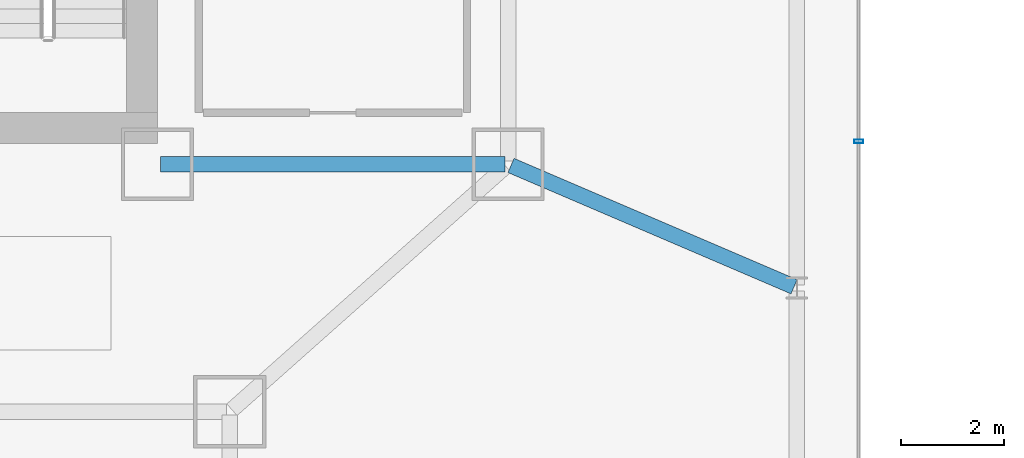
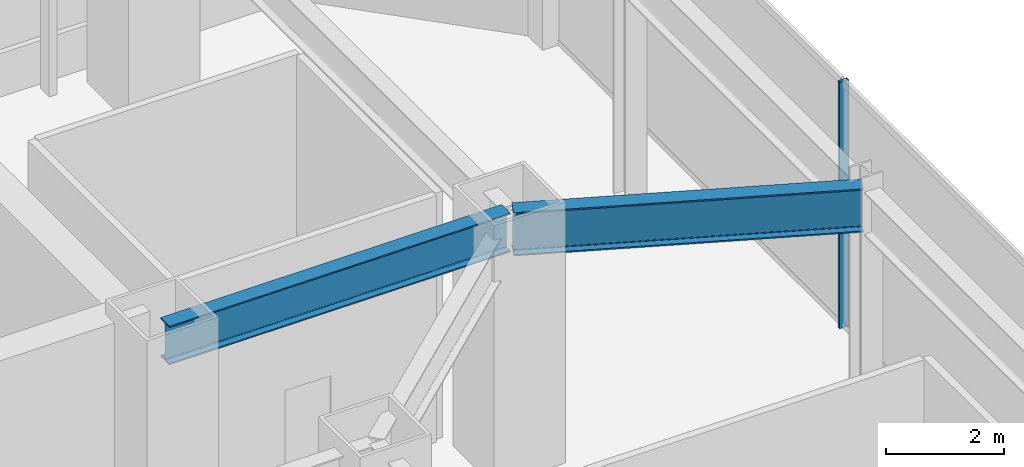
# One storey, part 29 of 52: 2 beams, 1 member, 1 element without a shape of its own.
"""IFC4 building model written with IfcOpenShell, lengths in metres."""

import ifcopenshell
import ifcopenshell.guid

model = None  # the IFC model being written
_history = None  # IfcOwnerHistory: only IFC2X3 demands one
_inside = {}  # id of a spatial element -> (the spatial element, [elements in it])
_under = {}  # id of a project, library or spatial element -> (it, [spatial elements below it])
_declared = {}  # id of a project -> (the project, [libraries it declares])
_typed = {}  # id of a type object -> (the type object, [elements of that type])
_made_of = {}  # id of a material, layer set ... -> (it, [elements and type objects made of it])


def new_model(schema):
    """Start an empty IFC model of exactly this schema.

    Asked for "IFC4X3", IfcOpenShell would pick the latest addendum, in which some entities
    have other attributes; the version numbers below select the first issue.
    IFC2X3 requires an IfcOwnerHistory on every rooted entity: one is made here for all.
    """
    global model, _history
    if schema == "IFC4X3":
        model = ifcopenshell.file(schema_version=(4, 3, 0, 0))
    else:
        model = ifcopenshell.file(schema=schema)
    _inside.clear()
    _under.clear()
    _declared.clear()
    _typed.clear()
    _made_of.clear()
    _history = None
    if model.schema == "IFC2X3":
        org = make("IfcOrganization", Name="unknown")
        user = make(
            "IfcPersonAndOrganization",
            ThePerson=make("IfcPerson", FamilyName="unknown"),
            TheOrganization=org,
        )
        app = make(
            "IfcApplication",
            ApplicationDeveloper=org,
            Version="unknown",
            ApplicationFullName="unknown",
            ApplicationIdentifier="unknown",
        )
        _history = make(
            "IfcOwnerHistory",
            OwningUser=user,
            OwningApplication=app,
            ChangeAction="ADDED",
            CreationDate=0,
        )
    return model


def make(cls, **values):
    """One entity of the class cls with the attributes given. An attribute that is None is left unset."""
    return model.create_entity(
        cls, **{name: value for name, value in values.items() if value is not None}
    )


def rooted(cls, **values):
    """An entity with a GlobalId (a new one), such as an element, a storey or a relation."""
    return make(cls, GlobalId=ifcopenshell.guid.new(), OwnerHistory=_history, **values)


def si_unit(unit_type, name, prefix=None):
    """IfcSIUnit, for example si_unit("LENGTHUNIT", "METRE", prefix="MILLI")."""
    return make("IfcSIUnit", UnitType=unit_type, Prefix=prefix, Name=name)


def assignment(units):
    """IfcUnitAssignment: the units of a project."""
    return None if units is None else make("IfcUnitAssignment", Units=units)


def point(xyz):
    """IfcCartesianPoint."""
    return None if xyz is None else make("IfcCartesianPoint", Coordinates=xyz)


def direction(xyz):
    """IfcDirection."""
    return None if xyz is None else make("IfcDirection", DirectionRatios=xyz)


def frame(location, z_axis=None, x_axis=None):
    """IfcAxis2Placement3D, a coordinate frame: its origin and axes. An axis left out is left unset."""
    return make(
        "IfcAxis2Placement3D",
        Location=point(location),
        Axis=direction(z_axis),
        RefDirection=direction(x_axis),
    )


def frame_2d(location, x_axis=None):
    """IfcAxis2Placement2D, a coordinate frame in the plane: its origin and x axis."""
    return make(
        "IfcAxis2Placement2D", Location=point(location), RefDirection=direction(x_axis)
    )


def origin():
    """The frame at (0, 0, 0) with its axes left unset."""
    return frame((0.0, 0.0, 0.0))


def origin_2d():
    """The frame at (0, 0) in the plane with its x axis left unset."""
    return frame_2d((0.0, 0.0))


def place(relative_to, where):
    """IfcLocalPlacement: puts the frame where relative to a parent placement (None: the world)."""
    return make(
        "IfcLocalPlacement", PlacementRelTo=relative_to, RelativePlacement=where
    )


def context(
    kind, dimensions, precision=None, world=None, true_north=None, identifier=None
):
    """IfcGeometricRepresentationContext, for example the 3D "Model" context."""
    return make(
        "IfcGeometricRepresentationContext",
        ContextIdentifier=identifier,
        ContextType=kind,
        CoordinateSpaceDimension=dimensions,
        Precision=precision,
        WorldCoordinateSystem=world,
        TrueNorth=true_north,
    )


def subcontext(parent, identifier, kind, view, scale=None):
    """IfcGeometricRepresentationSubContext, for example "Body" below "Model"."""
    return make(
        "IfcGeometricRepresentationSubContext",
        ContextIdentifier=identifier,
        ContextType=kind,
        ParentContext=parent,
        TargetScale=scale,
        TargetView=view,
    )


def project(units=None, contexts=None):
    """IfcProject with its units and contexts."""
    return rooted(
        "IfcProject",
        Name="project",
        RepresentationContexts=contexts,
        UnitsInContext=assignment(units),
    )


def spatial(cls, under=None, at=None, **own):
    """A site, building, storey or space (cls), placed at a placement, below another one or the project."""
    s = rooted(cls, ObjectPlacement=at, **own)
    if under is not None:
        _under.setdefault(under.id(), (under, []))[1].append(s)
    return s


def profile(cls, at=None, kind="AREA", **sizes):
    """A parametric profile (cls). Its sizes go by their IFC names, for example OverallWidth=200.0."""
    return make(cls, ProfileType=kind, Position=at, **sizes)


def hollow_rectangle(**sizes):
    """IfcRectangleHollowProfileDef."""
    return profile("IfcRectangleHollowProfileDef", **sizes)


def i_section(**sizes):
    """IfcIShapeProfileDef."""
    return profile("IfcIShapeProfileDef", **sizes)


def extrude(swept, where, along, depth):
    """IfcExtrudedAreaSolid: the profile swept, set in the frame where, extruded along a direction by depth."""
    return make(
        "IfcExtrudedAreaSolid",
        SweptArea=swept,
        Position=where,
        ExtrudedDirection=direction(along),
        Depth=depth,
    )


def shape(context_of_items, identifier, shape_type, items):
    """IfcShapeRepresentation: the items that make up one representation, for example the "Body"."""
    return make(
        "IfcShapeRepresentation",
        ContextOfItems=context_of_items,
        RepresentationIdentifier=identifier,
        RepresentationType=shape_type,
        Items=items,
    )


def material(Name=None, Category=None):
    """IfcMaterial."""
    return make("IfcMaterial", Name=Name, Category=Category)


def material_profile(
    of_material, cross_section, Name=None, Category=None, Priority=None
):
    """IfcMaterialProfile: a cross section and its material."""
    return make(
        "IfcMaterialProfile",
        Name=Name,
        Material=of_material,
        Profile=cross_section,
        Priority=Priority,
        Category=Category,
    )


def profile_set(profiles, Name=None, composite=None):
    """IfcMaterialProfileSet."""
    return make(
        "IfcMaterialProfileSet",
        Name=Name,
        MaterialProfiles=profiles,
        CompositeProfile=composite,
    )


def made_of(thing, what):
    """Note that an element or type object is made of a material, layer set ...; save() writes the relation."""
    if what is not None:
        _made_of.setdefault(what.id(), (what, []))[1].append(thing)
    return thing


def type_object(cls, material=None, **own):
    """A type object (cls), such as IfcWallType, which elements share."""
    return made_of(rooted(cls, **own), material)


def element(
    cls,
    number,
    at=None,
    inside=None,
    cuts=None,
    type_object=None,
    material=None,
    context=None,
    identifier="Body",
    shape_type=None,
    held_by="IfcProductDefinitionShape",
    body=None,
    shapes=None,
    **own,
):
    """One element of the class cls, such as IfcWall. Its Tag is "e" and its number.

    at: its placement. inside: the storey or other place that contains it. cuts: it is an
    opening in that element (IfcRelVoidsElement). A single representation is given by context,
    identifier, shape_type and body (its items); several are given by shapes. held_by: the class
    of the entity that holds the representations. save() writes the other relations.
    """
    e = rooted(cls, Tag="e%d" % number, ObjectPlacement=at, **own)
    if body is not None:
        shapes = [shape(context, identifier, shape_type, body)]
    if shapes is not None:
        e.Representation = make(held_by, Representations=shapes)
    if inside is not None:
        _inside.setdefault(inside.id(), (inside, []))[1].append(e)
    if cuts is not None:
        rooted(
            "IfcRelVoidsElement", RelatingBuildingElement=cuts, RelatedOpeningElement=e
        )
    if type_object is not None:
        _typed.setdefault(type_object.id(), (type_object, []))[1].append(e)
    return made_of(e, material)


def aggregate(whole, parts):
    """IfcRelAggregates: a whole, such as a stair, and the parts it consists of."""
    return rooted("IfcRelAggregates", RelatingObject=whole, RelatedObjects=parts)


def save(model, path):
    """Write the relations noted so far, then the file.

    IfcRelAggregates (storeys below a building ...), IfcRelContainedInSpatialStructure (elements
    in a storey), IfcRelDefinesByType, IfcRelAssociatesMaterial and IfcRelDeclares: one each for
    every whole, place, type object, material and project.
    """
    for whole, parts in _under.values():
        aggregate(whole, parts)
    for where, things in _inside.values():
        rooted(
            "IfcRelContainedInSpatialStructure",
            RelatedElements=things,
            RelatingStructure=where,
        )
    for kind, things in _typed.values():
        rooted("IfcRelDefinesByType", RelatedObjects=things, RelatingType=kind)
    for what, things in _made_of.values():
        rooted("IfcRelAssociatesMaterial", RelatedObjects=things, RelatingMaterial=what)
    for by, libraries in _declared.values():
        rooted("IfcRelDeclares", RelatingContext=by, RelatedDefinitions=libraries)
    model.write(path)


model = new_model("IFC4")

# Units and contexts
model_context = context("Model", 3, precision=1e-05, world=origin(), true_north=direction((0.0, 1.0)))
body_context = subcontext(model_context, "Body", "Model", "MODEL_VIEW")
ifc_project = project(units=[si_unit("LENGTHUNIT", "METRE"), si_unit("AREAUNIT", "SQUARE_METRE"), si_unit("VOLUMEUNIT", "CUBIC_METRE"), si_unit("PLANEANGLEUNIT", "RADIAN"), si_unit("MASSUNIT", "GRAM", prefix="KILO")], contexts=[model_context])

# Site, building, storey
site_placement = place(None, origin())
site = spatial("IfcSite", under=ifc_project, at=site_placement, CompositionType="ELEMENT")
building_placement = place(site_placement, origin())
building = spatial("IfcBuilding", under=site, at=building_placement, Name="Saevonmaru Cultural Tower", CompositionType="ELEMENT")
storey_placement = place(building_placement, frame((0.0, 0.0, 11.39990234375)))
storey = spatial("IfcBuildingStorey", under=building, at=storey_placement, Name="L02", CompositionType="ELEMENT", Elevation=11.39990234375)

# Beams
ifc_material_1 = material(Name="Steel SM420", Category="steel")
ifc_material_profile_1 = material_profile(ifc_material_1, i_section(OverallWidth=0.300048828125, OverallDepth=0.800048828125, WebThickness=0.013916015625, FlangeThickness=0.02587890625, FilletRadius=0.028076171875, at=origin_2d()), Name="H-800x300x14x26")
ifc_profile_set_1 = profile_set([ifc_material_profile_1], Name="Steel SM420")
beam_type_1 = type_object("IfcBeamType", Name="BM-G-H800", PredefinedType="BEAM", material=ifc_profile_set_1)
beam_1_placement = place(storey_placement, frame((46.4599609375, 42.39990234375, 4.7001953125), z_axis=(1.0, 0.0, 0.0), x_axis=(0.0, 1.0, 0.0)))
element("IfcBeam", 1, at=beam_1_placement, inside=storey, type_object=beam_type_1, Name="L02 Core South Girder 5", PredefinedType="BEAM", context=body_context, shape_type="SweptSolid", body=[
    extrude(i_section(OverallWidth=0.300048828125, OverallDepth=0.800048828125, WebThickness=0.013916015625, FlangeThickness=0.02587890625, FilletRadius=0.028076171875, at=origin_2d()), origin(), (0.0, 0.0, 1.0), 6.679931640625),
])
ifc_material_profile_2 = material_profile(ifc_material_1, i_section(OverallWidth=0.300048828125, OverallDepth=0.89990234375, WebThickness=0.01611328125, FlangeThickness=0.028076171875, FilletRadius=0.028076171875, at=origin_2d()), Name="H-900x300x16x28")
ifc_profile_set_2 = profile_set([ifc_material_profile_2], Name="Steel SM420")
beam_type_2 = type_object("IfcBeamType", Name="BM-G-H900", PredefinedType="BEAM", material=ifc_profile_set_2)
beam_2_placement = place(storey_placement, frame((53.255126953125, 42.37646484375, 4.650146484375), z_axis=(0.919142915717, -0.393924231912, 0.0), x_axis=(0.393924231912, 0.919142915717, 0.0)))
element("IfcBeam", 2, at=beam_2_placement, inside=storey, type_object=beam_type_2, Name="BM-POD-TE1-L02", PredefinedType="BEAM", context=body_context, shape_type="SweptSolid", body=[
    extrude(i_section(OverallWidth=0.300048828125, OverallDepth=0.89990234375, WebThickness=0.01611328125, FlangeThickness=0.028076171875, FilletRadius=0.028076171875, at=origin_2d()), origin(), (0.0, 0.0, 1.0), 5.97265625),
])

# Curtain wall, member
ifc_material_2 = material(Name="Satin Bronze Anodised Aluminium", Category="aluminium")
curtain_wall_type = type_object("IfcCurtainWallType", Name="CW-POD-GLZ", PredefinedType="NOTDEFINED", material=ifc_material_2)
curtain_wall_placement = place(storey_placement, origin())
curtain_wall = element("IfcCurtainWall", 3, at=curtain_wall_placement, inside=storey, type_object=curtain_wall_type, Name="L02 Saevon Plaza Curtain Wall", PredefinedType="NOTDEFINED")
ifc_material_profile_3 = material_profile(ifc_material_2, hollow_rectangle(XDim=0.06494140625, YDim=0.179931640625, WallThickness=0.00390625, at=origin_2d()), Name="ALU-MULL-180x65x4")
ifc_profile_set_3 = profile_set([ifc_material_profile_3], Name="Satin Bronze Anodised Aluminium")
member_type = type_object("IfcMemberType", Name="ML-CW-180x65", PredefinedType="MULLION", material=ifc_profile_set_3)
member_placement = place(storey_placement, frame((60.0, 42.843994140625, 0.0), z_axis=(0.0, 0.0, 1.0), x_axis=(0.0, 1.0, 0.0)))
member = element("IfcMember", 4, at=member_placement, type_object=member_type, Name="CW-POD-E-L02 mullion 5", PredefinedType="MULLION", context=body_context, shape_type="SweptSolid", body=[
    extrude(hollow_rectangle(XDim=0.06494140625, YDim=0.179931640625, WallThickness=0.00390625, at=origin_2d()), origin(), (0.0, 0.0, 1.0), 5.10009765625),
])
aggregate(curtain_wall, [member])

save(model, "model.ifc")
